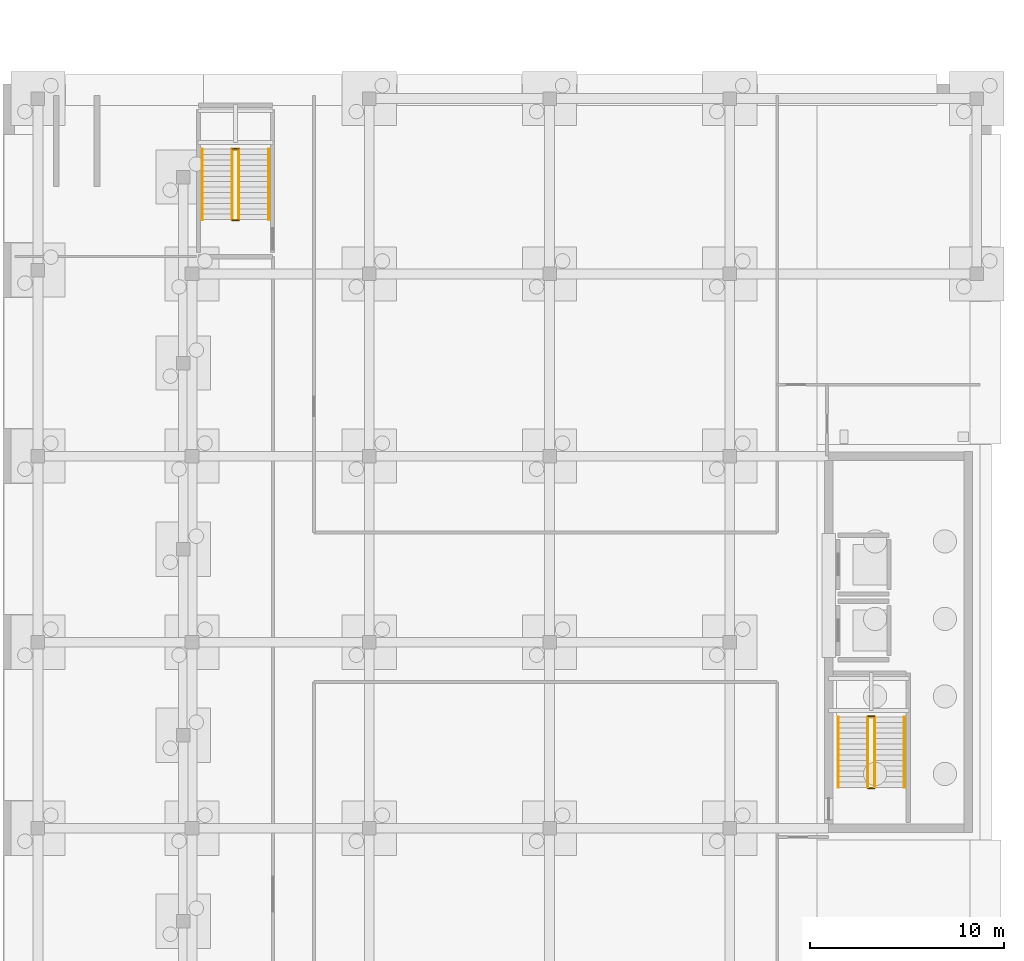
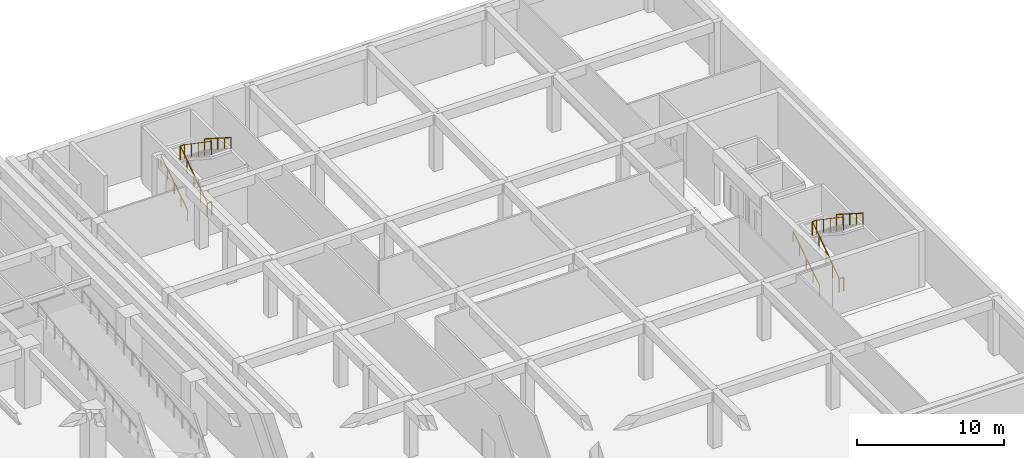
# One storey, part 18 of 20: 12 railings.
"""IFC4 building model written with IfcOpenShell, lengths in metres."""

from ifc_helpers import new_model, si_unit, direction, frame, origin, origin_2d, place, context, subcontext, project, spatial, circle, extrude, material, type_object, element, save


model = new_model("IFC4")

# Units and contexts
model_context = context("Model", 3, precision=1e-05, world=origin(), true_north=direction((0.0, 1.0)))
body_context = subcontext(model_context, "Body", "Model", "MODEL_VIEW")
ifc_project = project(units=[si_unit("LENGTHUNIT", "METRE"), si_unit("AREAUNIT", "SQUARE_METRE"), si_unit("VOLUMEUNIT", "CUBIC_METRE"), si_unit("PLANEANGLEUNIT", "RADIAN"), si_unit("MASSUNIT", "GRAM", prefix="KILO")], contexts=[model_context])

# Site, building, storey
site_placement = place(None, origin())
site = spatial("IfcSite", under=ifc_project, at=site_placement, CompositionType="ELEMENT")
building_placement = place(site_placement, origin())
building = spatial("IfcBuilding", under=site, at=building_placement, Name="Norrvale University Quadrangle", CompositionType="ELEMENT")
storey_placement = place(building_placement, frame((0.0, 0.0, -5.0)))
storey = spatial("IfcBuildingStorey", under=building, at=storey_placement, Name="B01", CompositionType="ELEMENT", Elevation=-5.0)

# Railings
ifc_material_1 = material(Name="Steel 350W Painted Balustrade", Category="steel")
railing_type_1 = type_object("IfcRailingType", Name="Railing Stair Guard 1100", PredefinedType="GUARDRAIL", material=ifc_material_1)
for number, where, name in (
    (1, (120.830078125, 21.27001953125, 0.0), "Stair Floor Well Guard ST-L1 B01"),
    (2, (120.830078125, 24.969970703125, 2.5), "Stair Mid-Landing Slot Guard ST-L1 B01"),
):
    element("IfcRailing", number, at=place(storey_placement, frame(where)), inside=storey, type_object=railing_type_1, Name=name, PredefinedType="GUARDRAIL", context=body_context, shape_type="SweptSolid", body=[
        extrude(circle(Radius=0.02392578125, at=origin_2d()), frame((0.0, 0.0, 1.1259765625), z_axis=(1.0, 0.0, 0.0), x_axis=(0.0, 1.0, 0.0)), (0.0, 0.0, 1.0), 0.33984375),
        extrude(circle(Radius=0.02099609375, at=origin_2d()), origin(), (0.0, 0.0, 1.0), 1.101806640625),
        extrude(circle(Radius=0.02099609375, at=origin_2d()), frame((0.33984375, 0.0, 0.0)), (0.0, 0.0, 1.0), 1.101806640625),
    ])
railing_1_placement = place(storey_placement, frame((120.830078125, 21.300048828125, 0.0)))
element("IfcRailing", 3, at=railing_1_placement, inside=storey, type_object=railing_type_1, Name="Stair Lower Flight Inner Guard ST-L1 B01", PredefinedType="GUARDRAIL", context=body_context, shape_type="SweptSolid", body=[
    extrude(circle(Radius=0.02392578125, at=origin_2d()), frame((0.0, 0.0, 1.1259765625), z_axis=(0.0, 0.824298337968, 0.566155676491), x_axis=(-1.0, 0.0, 0.0)), (0.0, 0.0, 1.0), 4.415771484375),
    extrude(circle(Radius=0.02099609375, at=origin_2d()), origin(), (0.0, 0.0, 1.0), 1.101806640625),
    extrude(circle(Radius=0.02099609375, at=origin_2d()), frame((0.0, 0.909912109375, 0.625)), (0.0, 0.0, 1.0), 1.101806640625),
    extrude(circle(Radius=0.02099609375, at=origin_2d()), frame((0.0, 1.81982421875, 1.25)), (0.0, 0.0, 1.0), 1.101806640625),
    extrude(circle(Radius=0.02099609375, at=origin_2d()), frame((0.0, 2.72998046875, 1.875)), (0.0, 0.0, 1.0), 1.101806640625),
    extrude(circle(Radius=0.02099609375, at=origin_2d()), frame((0.0, 3.639892578125, 2.5)), (0.0, 0.0, 1.0), 1.101806640625),
])
railing_2_placement = place(storey_placement, frame((121.169921875, 24.93994140625, 2.5)))
element("IfcRailing", 4, at=railing_2_placement, inside=storey, type_object=railing_type_1, Name="Stair Upper Flight Inner Guard ST-L1 B01", PredefinedType="GUARDRAIL", context=body_context, shape_type="SweptSolid", body=[
    extrude(circle(Radius=0.02392578125, at=origin_2d()), frame((0.0, 0.0, 1.1259765625), z_axis=(0.0, -0.824298337968, 0.566155676491), x_axis=(1.0, 0.0, 0.0)), (0.0, 0.0, 1.0), 4.415771484375),
    extrude(circle(Radius=0.02099609375, at=origin_2d()), origin(), (0.0, 0.0, 1.0), 1.101806640625),
    extrude(circle(Radius=0.02099609375, at=origin_2d()), frame((0.0, -0.909912109375, 0.625)), (0.0, 0.0, 1.0), 1.101806640625),
    extrude(circle(Radius=0.02099609375, at=origin_2d()), frame((0.0, -1.81982421875, 1.25)), (0.0, 0.0, 1.0), 1.101806640625),
    extrude(circle(Radius=0.02099609375, at=origin_2d()), frame((0.0, -2.72998046875, 1.875)), (0.0, 0.0, 1.0), 1.101806640625),
    extrude(circle(Radius=0.02099609375, at=origin_2d()), frame((0.0, -3.639892578125, 2.5)), (0.0, 0.0, 1.0), 1.101806640625),
])
for number, where, name in (
    (5, (88.030029296875, 50.570068359375, 0.0), "Stair Floor Well Guard ST-L3 B01"),
    (6, (88.030029296875, 54.27001953125, 2.5), "Stair Mid-Landing Slot Guard ST-L3 B01"),
):
    element("IfcRailing", number, at=place(storey_placement, frame(where)), inside=storey, type_object=railing_type_1, Name=name, PredefinedType="GUARDRAIL", context=body_context, shape_type="SweptSolid", body=[
        extrude(circle(Radius=0.02392578125, at=origin_2d()), frame((0.0, 0.0, 1.1259765625), z_axis=(1.0, 0.0, 0.0), x_axis=(0.0, 1.0, 0.0)), (0.0, 0.0, 1.0), 0.340087890625),
        extrude(circle(Radius=0.02099609375, at=origin_2d()), origin(), (0.0, 0.0, 1.0), 1.101806640625),
        extrude(circle(Radius=0.02099609375, at=origin_2d()), frame((0.340087890625, 0.0, 0.0)), (0.0, 0.0, 1.0), 1.101806640625),
    ])
railing_3_placement = place(storey_placement, frame((88.030029296875, 50.60009765625, 0.0)))
element("IfcRailing", 7, at=railing_3_placement, inside=storey, type_object=railing_type_1, Name="Stair Lower Flight Inner Guard ST-L3 B01", PredefinedType="GUARDRAIL", context=body_context, shape_type="SweptSolid", body=[
    extrude(circle(Radius=0.02392578125, at=origin_2d()), frame((0.0, 0.0, 1.1259765625), z_axis=(0.0, 0.824298337968, 0.566155676491), x_axis=(-1.0, 0.0, 0.0)), (0.0, 0.0, 1.0), 4.415771484375),
    extrude(circle(Radius=0.02099609375, at=origin_2d()), origin(), (0.0, 0.0, 1.0), 1.101806640625),
    extrude(circle(Radius=0.02099609375, at=origin_2d()), frame((0.0, 0.909912109375, 0.625)), (0.0, 0.0, 1.0), 1.101806640625),
    extrude(circle(Radius=0.02099609375, at=origin_2d()), frame((0.0, 1.81982421875, 1.25)), (0.0, 0.0, 1.0), 1.101806640625),
    extrude(circle(Radius=0.02099609375, at=origin_2d()), frame((0.0, 2.72998046875, 1.875)), (0.0, 0.0, 1.0), 1.101806640625),
    extrude(circle(Radius=0.02099609375, at=origin_2d()), frame((0.0, 3.639892578125, 2.5)), (0.0, 0.0, 1.0), 1.101806640625),
])
railing_4_placement = place(storey_placement, frame((88.3701171875, 54.239990234375, 2.5)))
element("IfcRailing", 8, at=railing_4_placement, inside=storey, type_object=railing_type_1, Name="Stair Upper Flight Inner Guard ST-L3 B01", PredefinedType="GUARDRAIL", context=body_context, shape_type="SweptSolid", body=[
    extrude(circle(Radius=0.02392578125, at=origin_2d()), frame((0.0, 0.0, 1.1259765625), z_axis=(0.0, -0.824298337968, 0.566155676491), x_axis=(1.0, 0.0, 0.0)), (0.0, 0.0, 1.0), 4.415771484375),
    extrude(circle(Radius=0.02099609375, at=origin_2d()), origin(), (0.0, 0.0, 1.0), 1.101806640625),
    extrude(circle(Radius=0.02099609375, at=origin_2d()), frame((0.0, -0.909912109375, 0.625)), (0.0, 0.0, 1.0), 1.101806640625),
    extrude(circle(Radius=0.02099609375, at=origin_2d()), frame((0.0, -1.81982421875, 1.25)), (0.0, 0.0, 1.0), 1.101806640625),
    extrude(circle(Radius=0.02099609375, at=origin_2d()), frame((0.0, -2.72998046875, 1.875)), (0.0, 0.0, 1.0), 1.101806640625),
    extrude(circle(Radius=0.02099609375, at=origin_2d()), frame((0.0, -3.639892578125, 2.5)), (0.0, 0.0, 1.0), 1.101806640625),
])
ifc_material_2 = material(Name="Stainless Steel 316L Handrail", Category="steel")
railing_type_2 = type_object("IfcRailingType", Name="Railing Stair Handrail 920", PredefinedType="HANDRAIL", material=ifc_material_2)
railing_5_placement = place(storey_placement, frame((119.2900390625, 21.300048828125, 0.1787109375)))
element("IfcRailing", 9, at=railing_5_placement, inside=storey, type_object=railing_type_2, Name="Stair Lower Flight Handrail ST-L1 B01", PredefinedType="HANDRAIL", context=body_context, shape_type="SweptSolid", body=[
    extrude(circle(Radius=0.02392578125, at=origin_2d()), frame((0.0, 0.0, 0.89599609375), z_axis=(0.0, 0.843137146238, 0.537698570422), x_axis=(-1.0, 0.0, 0.0)), (0.0, 0.0, 1.0), 4.317138671875),
    extrude(circle(Radius=0.02099609375, at=origin_2d()), origin(), (0.0, 0.0, 1.0), 0.871826171875),
    extrude(circle(Radius=0.02099609375, at=origin_2d()), frame((0.0, 0.909912109375, 0.580322265625)), (0.0, 0.0, 1.0), 0.871826171875),
    extrude(circle(Radius=0.02099609375, at=origin_2d()), frame((0.0, 1.81982421875, 1.16064453125)), (0.0, 0.0, 1.0), 0.871826171875),
    extrude(circle(Radius=0.02099609375, at=origin_2d()), frame((0.0, 2.72998046875, 1.740966796875)), (0.0, 0.0, 1.0), 0.871826171875),
    extrude(circle(Radius=0.02099609375, at=origin_2d()), frame((0.0, 3.639892578125, 2.3212890625)), (0.0, 0.0, 1.0), 0.871826171875),
])
railing_6_placement = place(storey_placement, frame((122.7099609375, 24.93994140625, 2.6787109375)))
element("IfcRailing", 10, at=railing_6_placement, inside=storey, type_object=railing_type_2, Name="Stair Upper Flight Handrail ST-L1 B01", PredefinedType="HANDRAIL", context=body_context, shape_type="SweptSolid", body=[
    extrude(circle(Radius=0.02392578125, at=origin_2d()), frame((0.0, 0.0, 0.89599609375), z_axis=(0.0, -0.843137146238, 0.537698570422), x_axis=(1.0, 0.0, 0.0)), (0.0, 0.0, 1.0), 4.317138671875),
    extrude(circle(Radius=0.02099609375, at=origin_2d()), origin(), (0.0, 0.0, 1.0), 0.871826171875),
    extrude(circle(Radius=0.02099609375, at=origin_2d()), frame((0.0, -0.909912109375, 0.580322265625)), (0.0, 0.0, 1.0), 0.871826171875),
    extrude(circle(Radius=0.02099609375, at=origin_2d()), frame((0.0, -1.81982421875, 1.16064453125)), (0.0, 0.0, 1.0), 0.871826171875),
    extrude(circle(Radius=0.02099609375, at=origin_2d()), frame((0.0, -2.72998046875, 1.740966796875)), (0.0, 0.0, 1.0), 0.871826171875),
    extrude(circle(Radius=0.02099609375, at=origin_2d()), frame((0.0, -3.639892578125, 2.3212890625)), (0.0, 0.0, 1.0), 0.871826171875),
])
railing_7_placement = place(storey_placement, frame((86.489990234375, 50.60009765625, 0.1787109375)))
element("IfcRailing", 11, at=railing_7_placement, inside=storey, type_object=railing_type_2, Name="Stair Lower Flight Handrail ST-L3 B01", PredefinedType="HANDRAIL", context=body_context, shape_type="SweptSolid", body=[
    extrude(circle(Radius=0.02392578125, at=origin_2d()), frame((0.0, 0.0, 0.89599609375), z_axis=(0.0, 0.843137146238, 0.537698570422), x_axis=(-1.0, 0.0, 0.0)), (0.0, 0.0, 1.0), 4.317138671875),
    extrude(circle(Radius=0.02099609375, at=origin_2d()), origin(), (0.0, 0.0, 1.0), 0.871826171875),
    extrude(circle(Radius=0.02099609375, at=origin_2d()), frame((0.0, 0.909912109375, 0.580322265625)), (0.0, 0.0, 1.0), 0.871826171875),
    extrude(circle(Radius=0.02099609375, at=origin_2d()), frame((0.0, 1.81982421875, 1.16064453125)), (0.0, 0.0, 1.0), 0.871826171875),
    extrude(circle(Radius=0.02099609375, at=origin_2d()), frame((0.0, 2.72998046875, 1.740966796875)), (0.0, 0.0, 1.0), 0.871826171875),
    extrude(circle(Radius=0.02099609375, at=origin_2d()), frame((0.0, 3.639892578125, 2.3212890625)), (0.0, 0.0, 1.0), 0.871826171875),
])
railing_8_placement = place(storey_placement, frame((89.909912109375, 54.239990234375, 2.6787109375)))
element("IfcRailing", 12, at=railing_8_placement, inside=storey, type_object=railing_type_2, Name="Stair Upper Flight Handrail ST-L3 B01", PredefinedType="HANDRAIL", context=body_context, shape_type="SweptSolid", body=[
    extrude(circle(Radius=0.02392578125, at=origin_2d()), frame((0.0, 0.0, 0.89599609375), z_axis=(0.0, -0.843137146238, 0.537698570422), x_axis=(1.0, 0.0, 0.0)), (0.0, 0.0, 1.0), 4.317138671875),
    extrude(circle(Radius=0.02099609375, at=origin_2d()), origin(), (0.0, 0.0, 1.0), 0.871826171875),
    extrude(circle(Radius=0.02099609375, at=origin_2d()), frame((0.0, -0.909912109375, 0.580322265625)), (0.0, 0.0, 1.0), 0.871826171875),
    extrude(circle(Radius=0.02099609375, at=origin_2d()), frame((0.0, -1.81982421875, 1.16064453125)), (0.0, 0.0, 1.0), 0.871826171875),
    extrude(circle(Radius=0.02099609375, at=origin_2d()), frame((0.0, -2.72998046875, 1.740966796875)), (0.0, 0.0, 1.0), 0.871826171875),
    extrude(circle(Radius=0.02099609375, at=origin_2d()), frame((0.0, -3.639892578125, 2.3212890625)), (0.0, 0.0, 1.0), 0.871826171875),
])

save(model, "model.ifc")
